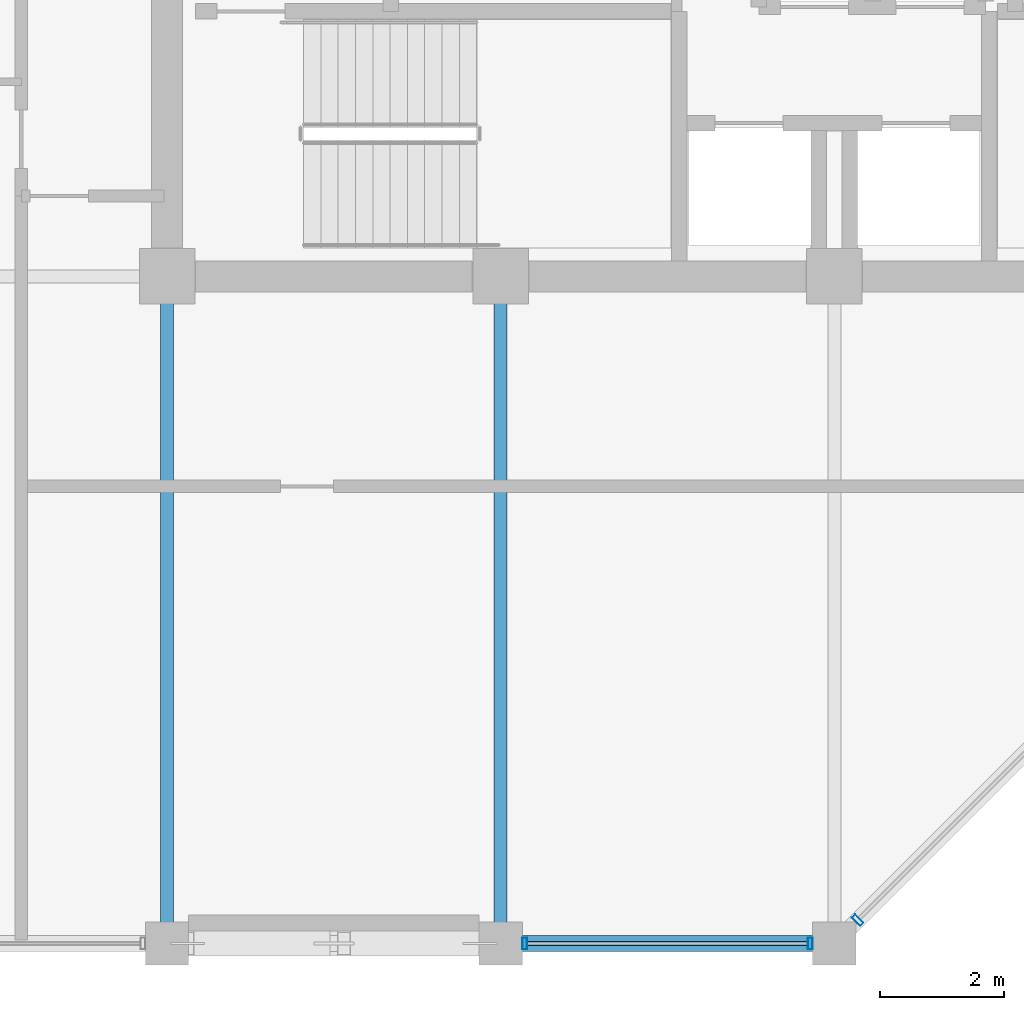
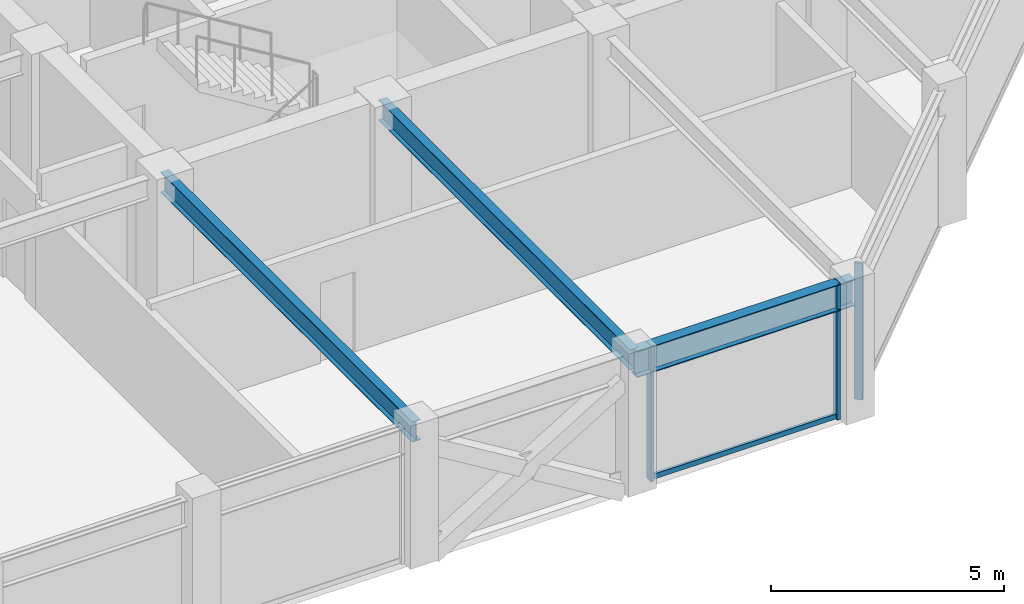
# One storey, part 6 of 31: 4 members, 3 beams, 2 elements without a shape of their own.
"""IFC4 building model written with IfcOpenShell, lengths in metres."""

from ifc_helpers import new_model, si_unit, direction, frame, origin, origin_2d, place, context, subcontext, project, spatial, hollow_rectangle, i_section, extrude, material, layer, layer_set, material_profile, profile_set, type_object, element, aggregate, save


model = new_model("IFC4")

# Units and contexts
model_context = context("Model", 3, precision=1e-05, world=origin(), true_north=direction((0.0, 1.0)))
body_context = subcontext(model_context, "Body", "Model", "MODEL_VIEW")
ifc_project = project(units=[si_unit("LENGTHUNIT", "METRE"), si_unit("AREAUNIT", "SQUARE_METRE"), si_unit("VOLUMEUNIT", "CUBIC_METRE"), si_unit("PLANEANGLEUNIT", "RADIAN"), si_unit("MASSUNIT", "GRAM", prefix="KILO")], contexts=[model_context])

# Site, building, storey
site_placement = place(None, origin())
site = spatial("IfcSite", under=ifc_project, at=site_placement, CompositionType="ELEMENT")
building_placement = place(site_placement, origin())
building = spatial("IfcBuilding", under=site, at=building_placement, Name="Surkhivell Harbour Commons", CompositionType="ELEMENT")
storey_placement = place(building_placement, frame((0.0, 0.0, 288.75)))
storey = spatial("IfcBuildingStorey", under=building, at=storey_placement, Name="L75", CompositionType="ELEMENT", Elevation=288.75)

# Beams
ifc_material_1 = material(Name="Steel S355", Category="steel")
ifc_material_profile_1 = material_profile(ifc_material_1, i_section(OverallWidth=0.2099609375, OverallDepth=0.537109375, WebThickness=0.0107421875, FlangeThickness=0.017333984375, at=origin_2d()), Name="UB533x210x101")
ifc_profile_set_1 = profile_set([ifc_material_profile_1], Name="Steel S355")
beam_type_1 = type_object("IfcBeamType", Name="BM-GRD-533B", PredefinedType="BEAM", material=ifc_profile_set_1)
for number, where, z_axis, x_axis, name in (
    (1, (-10.800048828125, -21.60009765625, 3.301513671875), (0.0, 1.0, 0.0), (-1.0, 0.0, 0.0), "L75 Floor Girder (-10.8,-21.6)"),
    (2, (-5.39990234375, -21.60009765625, 3.301513671875), (0.0, 1.0, 0.0), (-1.0, 0.0, 0.0), "L75 Floor Girder (-5.4,-21.6)"),
):
    element("IfcBeam", number, at=place(storey_placement, frame(where, z_axis=z_axis, x_axis=x_axis)), inside=storey, type_object=beam_type_1, Name=name, PredefinedType="BEAM", context=body_context, shape_type="SweptSolid", body=[
        extrude(i_section(OverallWidth=0.2099609375, OverallDepth=0.537109375, WebThickness=0.0107421875, FlangeThickness=0.017333984375, at=origin_2d()), origin(), (0.0, 0.0, 1.0), 10.800048828125),
    ])
ifc_material_profile_2 = material_profile(ifc_material_1, i_section(OverallWidth=0.256103515625, OverallDepth=0.693115234375, WebThickness=0.014404296875, FlangeThickness=0.023681640625, at=origin_2d()), Name="UB686x254x170")
ifc_profile_set_2 = profile_set([ifc_material_profile_2], Name="Steel S355")
beam_type_2 = type_object("IfcBeamType", Name="BM-SPN-686", PredefinedType="SPANDREL", material=ifc_profile_set_2)
beam_placement = place(storey_placement, frame((-5.39990234375, -21.60009765625, 3.223388671875), z_axis=(1.0, 0.0, 0.0), x_axis=(0.0, 1.0, 0.0)))
element("IfcBeam", 3, at=beam_placement, inside=storey, type_object=beam_type_2, Name="L75 Tube Spandrel (-5.4,-21.6)", PredefinedType="SPANDREL", context=body_context, shape_type="SweptSolid", body=[
    extrude(i_section(OverallWidth=0.256103515625, OverallDepth=0.693115234375, WebThickness=0.014404296875, FlangeThickness=0.023681640625, at=origin_2d()), origin(), (0.0, 0.0, 1.0), 5.39990234375),
])

# Curtain wall, members
ifc_material_2 = material(Name="Anodised pale-metal aluminium and insulated glazing", Category="aluminium")
ifc_layer = layer(ifc_material_2, 0.175048828125)
ifc_layer_set = layer_set([ifc_layer], Name="Anodised pale-metal aluminium and insulated glazing")
curtain_wall_type = type_object("IfcCurtainWallType", Name="CW-SYS-Z4", PredefinedType="NOTDEFINED", material=ifc_layer_set)
curtain_wall_1_placement = place(storey_placement, origin())
curtain_wall_1 = element("IfcCurtainWall", 4, at=curtain_wall_1_placement, inside=storey, type_object=curtain_wall_type, Name="L75 Curtain Wall CW-L75-E00S2", PredefinedType="NOTDEFINED")
ifc_material_3 = material(Name="Anodised pale-metal aluminium alloy 6063-T6", Category="aluminium")
ifc_material_profile_3 = material_profile(ifc_material_3, hollow_rectangle(XDim=0.074951171875, YDim=0.18994140625, WallThickness=0.00390625, at=origin_2d()), Name="ALU-MULL-75x190")
ifc_profile_set_3 = profile_set([ifc_material_profile_3], Name="Anodised pale-metal aluminium alloy 6063-T6")
member_type_1 = type_object("IfcMemberType", Name="CWM-190", PredefinedType="MULLION", material=ifc_profile_set_3)
member_1_placement = place(storey_placement, frame((-5.010498046875, -21.60009765625, 0.0), z_axis=(0.0, 0.0, 1.0), x_axis=(1.0, 0.0, 0.0)))
member_1 = element("IfcMember", 5, at=member_1_placement, type_object=member_type_1, Name="CW-Z4 mullion 1", PredefinedType="MULLION", context=body_context, shape_type="SweptSolid", body=[
    extrude(hollow_rectangle(XDim=0.074951171875, YDim=0.18994140625, WallThickness=0.00390625, at=origin_2d()), origin(), (0.0, 0.0, 1.0), 3.570068359375),
])
member_2_placement = place(storey_placement, frame((-0.389404296875, -21.60009765625, 0.0), z_axis=(0.0, 0.0, 1.0), x_axis=(1.0, 0.0, 0.0)))
member_2 = element("IfcMember", 6, at=member_2_placement, type_object=member_type_1, Name="CW-Z4 mullion 2", PredefinedType="MULLION", context=body_context, shape_type="SweptSolid", body=[
    extrude(hollow_rectangle(XDim=0.074951171875, YDim=0.18994140625, WallThickness=0.00390625, at=origin_2d()), origin(), (0.0, 0.0, 1.0), 3.570068359375),
])

# Curtain wall, member
curtain_wall_2_placement = place(storey_placement, origin())
curtain_wall_2 = element("IfcCurtainWall", 7, at=curtain_wall_2_placement, inside=storey, type_object=curtain_wall_type, Name="L75 Curtain Wall CW-L75-E01", PredefinedType="NOTDEFINED")
member_3_placement = place(storey_placement, frame((0.378173828125, -21.221923828125, 0.0), z_axis=(0.0, 0.0, 1.0), x_axis=(0.707106781187, 0.707106781187, 0.0)))
member_3 = element("IfcMember", 8, at=member_3_placement, type_object=member_type_1, Name="CW-Z4 mullion 1", PredefinedType="MULLION", context=body_context, shape_type="SweptSolid", body=[
    extrude(hollow_rectangle(XDim=0.074951171875, YDim=0.18994140625, WallThickness=0.00390625, at=origin_2d()), origin(), (0.0, 0.0, 1.0), 3.570068359375),
])
aggregate(curtain_wall_2, [member_3])

# Member
ifc_material_4 = material(Name="Champagne anodised aluminium alloy 6063-T6", Category="aluminium")
ifc_material_profile_4 = material_profile(ifc_material_4, hollow_rectangle(XDim=0.070068359375, YDim=0.1298828125, WallThickness=0.00341796875, at=origin_2d()), Name="ALU-TRAN-70x130")
ifc_profile_set_4 = profile_set([ifc_material_profile_4], Name="Champagne anodised aluminium alloy 6063-T6")
member_type_2 = type_object("IfcMemberType", Name="CWT-130", PredefinedType="USERDEFINED", material=ifc_profile_set_4)
member_4_placement = place(storey_placement, frame((-4.972900390625, -21.60009765625, 0.06494140625), z_axis=(1.0, 0.0, 0.0), x_axis=(0.0, 1.0, 0.0)))
member_4 = element("IfcMember", 9, at=member_4_placement, type_object=member_type_2, Name="CW-Z4 transom 1.1", ObjectType="TRANSOM", PredefinedType="USERDEFINED", context=body_context, shape_type="SweptSolid", body=[
    extrude(hollow_rectangle(XDim=0.070068359375, YDim=0.1298828125, WallThickness=0.00341796875, at=origin_2d()), origin(), (0.0, 0.0, 1.0), 4.5458984375),
])

aggregate(curtain_wall_1, [member_1, member_2, member_4])

save(model, "model.ifc")
